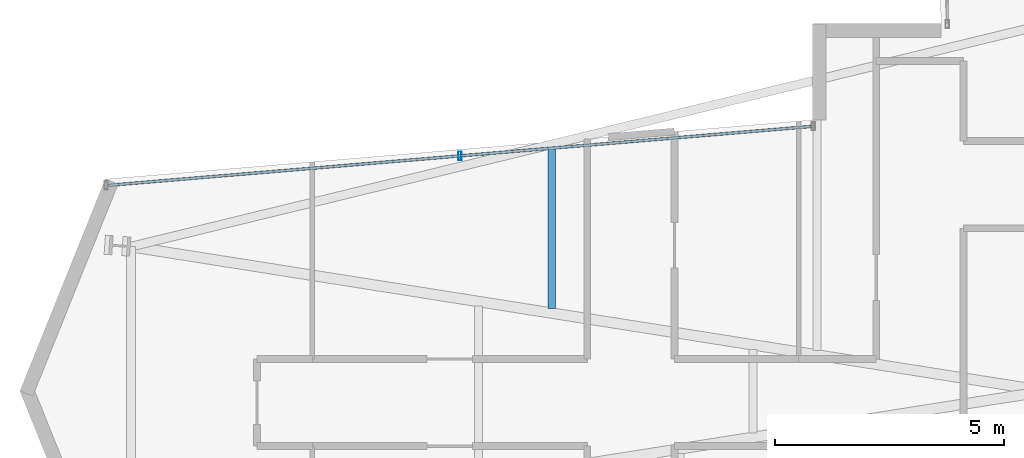
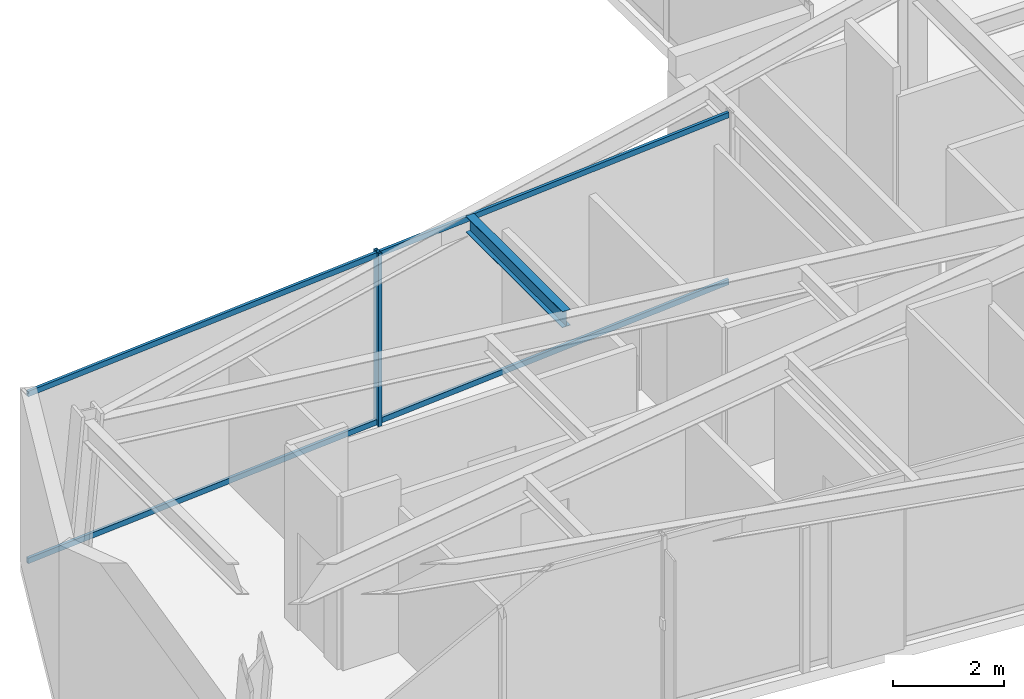
# One storey, part 8 of 25: 3 members, 1 beam, 1 element without a shape of its own.
"""IFC4 building model written with IfcOpenShell, lengths in metres."""

from ifc_helpers import new_model, si_unit, direction, frame, origin, origin_2d, place, context, subcontext, project, spatial, hollow_rectangle, i_section, extrude, material, layer, layer_set, material_profile, profile_set, type_object, element, aggregate, save


model = new_model("IFC4")

# Units and contexts
model_context = context("Model", 3, precision=1e-05, world=origin(), true_north=direction((0.0, 1.0)))
body_context = subcontext(model_context, "Body", "Model", "MODEL_VIEW")
ifc_project = project(units=[si_unit("LENGTHUNIT", "METRE"), si_unit("AREAUNIT", "SQUARE_METRE"), si_unit("VOLUMEUNIT", "CUBIC_METRE"), si_unit("PLANEANGLEUNIT", "RADIAN"), si_unit("MASSUNIT", "GRAM", prefix="KILO")], contexts=[model_context])

# Site, building, storey
site_placement = place(None, origin())
site = spatial("IfcSite", under=ifc_project, at=site_placement, CompositionType="ELEMENT")
building_placement = place(site_placement, origin())
building = spatial("IfcBuilding", under=site, at=building_placement, Name="Veymaron Broadcast Tower", CompositionType="ELEMENT")
storey_placement = place(building_placement, frame((0.0, 0.0, 137.10009765625)))
storey = spatial("IfcBuildingStorey", under=building, at=storey_placement, Name="L31", CompositionType="ELEMENT", Elevation=137.10009765625)

# Beam
ifc_material_1 = material(Name="Structural steel ASTM A992 Gr 50", Category="steel")
ifc_material_profile_1 = material_profile(ifc_material_1, i_section(OverallWidth=0.1708984375, OverallDepth=0.35498046875, WebThickness=0.007080078125, FlangeThickness=0.01171875, at=origin_2d()), Name="W360X51")
ifc_profile_set_1 = profile_set([ifc_material_profile_1], Name="Structural steel ASTM A992 Gr 50")
beam_type = type_object("IfcBeamType", Name="BM-JS2", PredefinedType="JOIST", material=ifc_profile_set_1)
beam_placement = place(storey_placement, frame((20.427001953125, 25.801025390625, 3.63232421875), z_axis=(0.0, 1.0, 0.0), x_axis=(-1.0, 0.0, 0.0)))
element("IfcBeam", 1, at=beam_placement, inside=storey, type_object=beam_type, Name="L31 Arm-A secondary joist 1N", PredefinedType="JOIST", context=body_context, shape_type="SweptSolid", body=[
    extrude(i_section(OverallWidth=0.1708984375, OverallDepth=0.35498046875, WebThickness=0.007080078125, FlangeThickness=0.01171875, at=origin_2d()), origin(), (0.0, 0.0, 1.0), 3.47998046875),
])

# Curtain wall, members
ifc_material_2 = material(Name="Anodised aluminium AA 6063-T6 and laminated low-E dark glass", Category="aluminium")
ifc_layer = layer(ifc_material_2, 0.179931640625)
ifc_layer_set = layer_set([ifc_layer], Name="Anodised aluminium AA 6063-T6 and laminated low-E dark glass")
curtain_wall_type = type_object("IfcCurtainWallType", Name="CW-SYS-03", PredefinedType="NOTDEFINED", material=ifc_layer_set)
curtain_wall_placement = place(storey_placement, origin())
curtain_wall = element("IfcCurtainWall", 2, at=curtain_wall_placement, inside=storey, type_object=curtain_wall_type, Name="L31 dark-glass curtain wall CW-L31-E11-1", PredefinedType="NOTDEFINED")
ifc_material_3 = material(Name="Anodised aluminium AA 6063-T6", Category="aluminium")
ifc_material_profile_2 = material_profile(ifc_material_3, hollow_rectangle(XDim=0.074951171875, YDim=0.179931640625, WallThickness=0.0048828125, at=origin_2d()), Name="AL180X75X5")
ifc_profile_set_2 = profile_set([ifc_material_profile_2], Name="Anodised aluminium AA 6063-T6")
member_type_1 = type_object("IfcMemberType", Name="CW-MUL-02", PredefinedType="MULLION", material=ifc_profile_set_2)
member_1_placement = place(storey_placement, frame((18.421630859375, 29.128662109375, 0.0), z_axis=(0.0, 0.0, 1.0), x_axis=(1.0, 0.0, 0.0)))
member_1 = element("IfcMember", 3, at=member_1_placement, type_object=member_type_1, Name="CW-L31-E11-1 mullion 1", PredefinedType="MULLION", context=body_context, shape_type="SweptSolid", body=[
    extrude(hollow_rectangle(XDim=0.074951171875, YDim=0.179931640625, WallThickness=0.0048828125, at=origin_2d()), origin(), (0.0, 0.0, 1.0), 3.809814453125),
])
ifc_material_profile_3 = material_profile(ifc_material_3, hollow_rectangle(XDim=0.06005859375, YDim=0.1201171875, WallThickness=0.00390625, at=origin_2d()), Name="AL120X60X4")
ifc_profile_set_3 = profile_set([ifc_material_profile_3], Name="Anodised aluminium AA 6063-T6")
member_type_2 = type_object("IfcMemberType", Name="CW-TRN-02", PredefinedType="USERDEFINED", material=ifc_profile_set_3)
member_2_placement = place(storey_placement, frame((26.081787109375, 29.7705078125, 0.06982421875), z_axis=(-0.996507981532, -0.083497561303, 0.0), x_axis=(0.083497561303, -0.996507981532, 0.0)))
member_2 = element("IfcMember", 4, at=member_2_placement, type_object=member_type_2, Name="CW-L31-E11-1 transom B", ObjectType="TRANSOM", PredefinedType="USERDEFINED", context=body_context, shape_type="SweptSolid", body=[
    extrude(hollow_rectangle(XDim=0.06005859375, YDim=0.1201171875, WallThickness=0.00390625, at=origin_2d()), origin(), (0.0, 0.0, 1.0), 15.3740234375),
])
member_3_placement = place(storey_placement, frame((26.081787109375, 29.7705078125, 3.739990234375), z_axis=(-0.996507981532, -0.083497561303, 0.0), x_axis=(0.083497561303, -0.996507981532, 0.0)))
member_3 = element("IfcMember", 5, at=member_3_placement, type_object=member_type_2, Name="CW-L31-E11-1 transom T", ObjectType="TRANSOM", PredefinedType="USERDEFINED", context=body_context, shape_type="SweptSolid", body=[
    extrude(hollow_rectangle(XDim=0.06005859375, YDim=0.1201171875, WallThickness=0.00390625, at=origin_2d()), origin(), (0.0, 0.0, 1.0), 15.3740234375),
])
aggregate(curtain_wall, [member_1, member_2, member_3])

save(model, "model.ifc")
